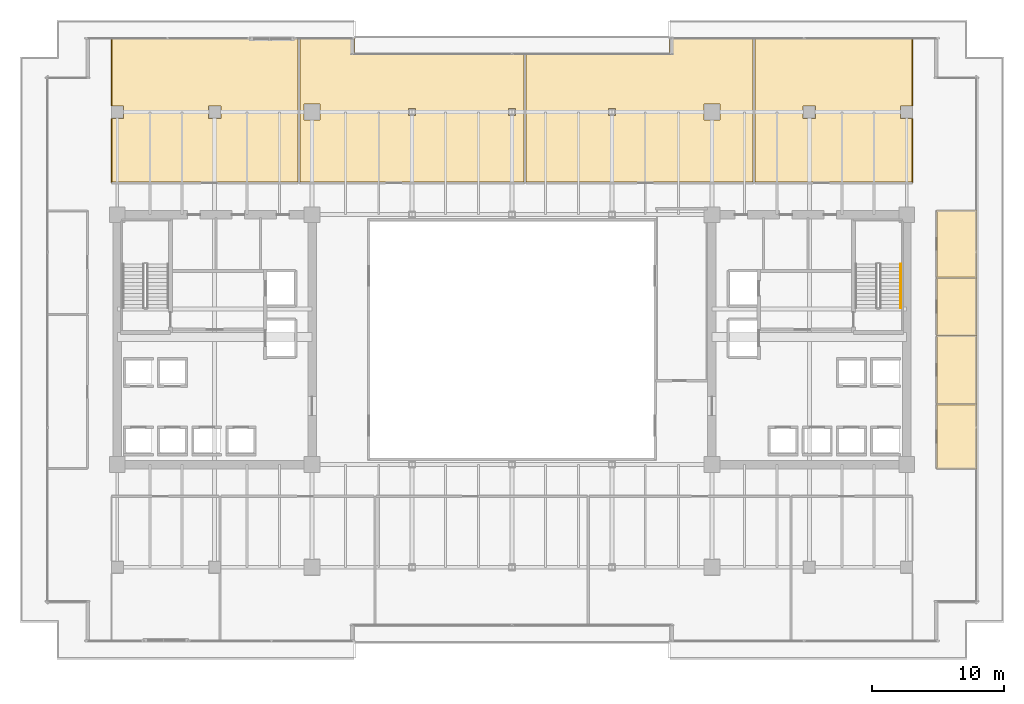
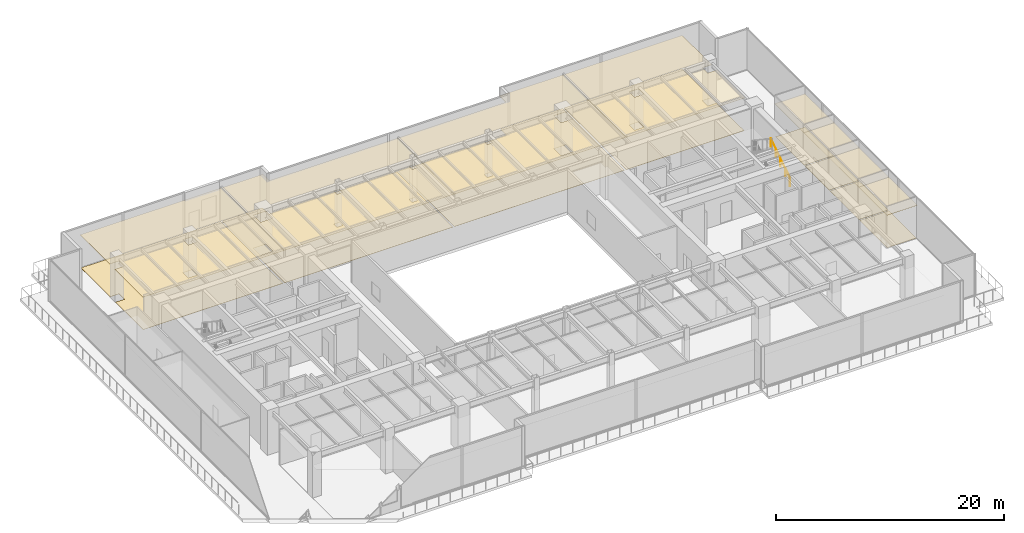
# One storey, part 33 of 33: 16 coverings, 1 railing.
"""IFC4 building model written with IfcOpenShell, lengths in metres."""

from ifc_helpers import new_model, si_unit, direction, frame, origin, origin_2d, place, context, subcontext, project, spatial, polyline, circle, outline, extrude, source, transform, mapped, material, layer, layer_set, type_object, type_shapes, element, save


model = new_model("IFC4")

# Units and contexts
model_context = context("Model", 3, precision=1e-05, world=origin(), true_north=direction((0.0, 1.0)))
body_context = subcontext(model_context, "Body", "Model", "MODEL_VIEW")
ifc_project = project(units=[si_unit("LENGTHUNIT", "METRE"), si_unit("AREAUNIT", "SQUARE_METRE"), si_unit("VOLUMEUNIT", "CUBIC_METRE"), si_unit("PLANEANGLEUNIT", "RADIAN"), si_unit("MASSUNIT", "GRAM", prefix="KILO")], contexts=[model_context])

# Site, building, storey
site_placement = place(None, origin())
site = spatial("IfcSite", under=ifc_project, at=site_placement, CompositionType="ELEMENT")
building_placement = place(site_placement, origin())
building = spatial("IfcBuilding", under=site, at=building_placement, Name="Haelvirn Gate Laboratories", CompositionType="ELEMENT")
storey_placement = place(building_placement, frame((0.0, 0.0, 100.300048828125)))
storey = spatial("IfcBuildingStorey", under=building, at=storey_placement, Name="L24", CompositionType="ELEMENT", Elevation=100.300048828125)

# Coverings
ifc_material_1 = material(Name="Micro-perforated acoustic mineral-fibre laboratory ceiling")
ifc_layer_1 = layer(ifc_material_1, 0.0400390625, Name="COV-CEIL-ACT")
ifc_layer_set_1 = layer_set([ifc_layer_1], Name="Micro-perforated acoustic mineral-fibre laboratory ceiling")
covering_type_1 = type_object("IfcCoveringType", Name="COV-CEIL-ACT", PredefinedType="CEILING", material=ifc_layer_set_1)
covering_1_placement = place(storey_placement, frame((0.0, 0.0, 3.52001953125)))
element("IfcCovering", 1, at=covering_1_placement, inside=storey, type_object=covering_type_1, Name="L24 Laboratory Acoustic Ceiling CEIL-SP-L24-N-01", PredefinedType="CEILING", context=body_context, shape_type="SweptSolid", body=[
    extrude(outline(polyline([(6.919921875, 41.18994140625), (6.929931640625, 41.18994140625), (6.929931640625, 41.1298828125), (7.8701171875, 41.1298828125), (7.8701171875, 42.070068359375), (6.929931640625, 42.070068359375), (6.929931640625, 42.010009765625), (6.919921875, 42.010009765625), (6.919921875, 47.25), (21.179931640625, 47.25), (21.179931640625, 36.219970703125), (6.919921875, 36.219970703125), (6.919921875, 41.18994140625)]), holes=[polyline([(14.330078125, 42.070068359375), (14.330078125, 41.1298828125), (15.27001953125, 41.1298828125), (15.27001953125, 42.070068359375), (14.330078125, 42.070068359375)])]), origin(), (0.0, 0.0, 1.0), 0.0400390625),
])
covering_2_placement = place(storey_placement, frame((0.0, 0.0, 3.52001953125)))
element("IfcCovering", 2, at=covering_2_placement, inside=storey, type_object=covering_type_1, Name="L24 Laboratory Acoustic Ceiling CEIL-SP-L24-N-02", PredefinedType="CEILING", context=body_context, shape_type="SweptSolid", body=[
    extrude(outline(polyline([(21.219970703125, 36.219970703125), (21.219970703125, 47.25), (25.419921875, 47.25), (25.419921875, 46.1201171875), (38.3798828125, 46.1201171875), (38.3798828125, 36.219970703125), (21.219970703125, 36.219970703125)]), holes=[polyline([(21.580078125, 40.97998046875), (22.820068359375, 40.97998046875), (22.820068359375, 42.219970703125), (21.580078125, 42.219970703125), (21.580078125, 40.97998046875)]), polyline([(29.530029296875, 41.8701171875), (29.530029296875, 41.330078125), (30.070068359375, 41.330078125), (30.070068359375, 41.8701171875), (29.530029296875, 41.8701171875)]), polyline([(37.669921875, 41.8701171875), (37.1298828125, 41.8701171875), (37.1298828125, 41.330078125), (37.669921875, 41.330078125), (37.669921875, 41.8701171875)])]), origin(), (0.0, 0.0, 1.0), 0.0400390625),
])
covering_3_placement = place(storey_placement, frame((0.0, 0.0, 3.52001953125)))
element("IfcCovering", 3, at=covering_3_placement, inside=storey, type_object=covering_type_1, Name="L24 Laboratory Acoustic Ceiling CEIL-SP-L24-N-03", PredefinedType="CEILING", context=body_context, shape_type="SweptSolid", body=[
    extrude(outline(polyline([(49.3798828125, 47.25), (55.780029296875, 47.25), (55.780029296875, 36.219970703125), (38.419921875, 36.219970703125), (38.419921875, 46.1201171875), (49.3798828125, 46.1201171875), (49.3798828125, 47.25)]), holes=[polyline([(51.97998046875, 42.219970703125), (51.97998046875, 40.97998046875), (53.219970703125, 40.97998046875), (53.219970703125, 42.219970703125), (51.97998046875, 42.219970703125)]), polyline([(45.27001953125, 41.8701171875), (44.72998046875, 41.8701171875), (44.72998046875, 41.330078125), (45.27001953125, 41.330078125), (45.27001953125, 41.8701171875)])]), origin(), (0.0, 0.0, 1.0), 0.0400390625),
])
covering_4_placement = place(storey_placement, frame((0.0, 0.0, 3.52001953125)))
element("IfcCovering", 4, at=covering_4_placement, inside=storey, type_object=covering_type_1, Name="L24 Laboratory Acoustic Ceiling CEIL-SP-L24-N-04", PredefinedType="CEILING", context=body_context, shape_type="SweptSolid", body=[
    extrude(outline(polyline([(67.8798828125, 41.18994140625), (67.8798828125, 36.219970703125), (55.820068359375, 36.219970703125), (55.820068359375, 47.25), (67.8798828125, 47.25), (67.8798828125, 42.010009765625), (67.8701171875, 42.010009765625), (67.8701171875, 42.070068359375), (66.929931640625, 42.070068359375), (66.929931640625, 41.1298828125), (67.8701171875, 41.1298828125), (67.8701171875, 41.18994140625), (67.8798828125, 41.18994140625)]), holes=[polyline([(59.530029296875, 42.070068359375), (59.530029296875, 41.1298828125), (60.469970703125, 41.1298828125), (60.469970703125, 42.070068359375), (59.530029296875, 42.070068359375)])]), origin(), (0.0, 0.0, 1.0), 0.0400390625),
])
covering_5_placement = place(storey_placement, frame((0.0, 0.0, 3.52001953125)))
element("IfcCovering", 5, at=covering_5_placement, inside=storey, type_object=covering_type_1, Name="L24 Laboratory Acoustic Ceiling CEIL-SP-L24-ECELL-01", PredefinedType="CEILING", context=body_context, shape_type="SweptSolid", body=[
    extrude(outline(polyline([(69.679931640625, 19.39990234375), (72.75, 19.39990234375), (72.75, 14.455078125), (69.679931640625, 14.455078125), (69.679931640625, 19.39990234375)])), origin(), (0.0, 0.0, 1.0), 0.0400390625),
])
covering_6_placement = place(storey_placement, frame((0.0, 0.0, 3.52001953125)))
element("IfcCovering", 6, at=covering_6_placement, inside=storey, type_object=covering_type_1, Name="L24 Laboratory Acoustic Ceiling CEIL-SP-L24-ECELL-02", PredefinedType="CEILING", context=body_context, shape_type="SweptSolid", body=[
    extrude(outline(polyline([(69.679931640625, 24.60009765625), (72.75, 24.60009765625), (72.75, 19.39990234375), (69.679931640625, 19.39990234375), (69.679931640625, 24.60009765625)])), origin(), (0.0, 0.0, 1.0), 0.0400390625),
])
covering_7_placement = place(storey_placement, frame((0.0, 0.0, 3.52001953125)))
element("IfcCovering", 7, at=covering_7_placement, inside=storey, type_object=covering_type_1, Name="L24 Laboratory Acoustic Ceiling CEIL-SP-L24-ECELL-03", PredefinedType="CEILING", context=body_context, shape_type="SweptSolid", body=[
    extrude(outline(polyline([(69.679931640625, 29.0), (72.75, 29.0), (72.75, 24.60009765625), (69.679931640625, 24.60009765625), (69.679931640625, 29.0)])), origin(), (0.0, 0.0, 1.0), 0.0400390625),
])
covering_8_placement = place(storey_placement, frame((0.0, 0.0, 3.52001953125)))
element("IfcCovering", 8, at=covering_8_placement, inside=storey, type_object=covering_type_1, Name="L24 Laboratory Acoustic Ceiling CEIL-SP-L24-ECELL-04", PredefinedType="CEILING", context=body_context, shape_type="SweptSolid", body=[
    extrude(outline(polyline([(69.679931640625, 34.14501953125), (72.75, 34.14501953125), (72.75, 29.0), (69.679931640625, 29.0), (69.679931640625, 34.14501953125)])), origin(), (0.0, 0.0, 1.0), 0.0400390625),
])
ifc_material_2 = material(Name="Honed granite concourse terrazzo flooring", Category="masonry")
ifc_layer_2 = layer(ifc_material_2, 0.02490234375, Name="COV-FLR-TERRA")
ifc_layer_set_2 = layer_set([ifc_layer_2], Name="Honed granite concourse terrazzo flooring")
covering_type_2 = type_object("IfcCoveringType", Name="COV-FLR-TERRA", PredefinedType="FLOORING", material=ifc_layer_set_2)
covering_9_placement = place(storey_placement, origin())
element("IfcCovering", 9, at=covering_9_placement, inside=storey, type_object=covering_type_2, Name="L24 Seamless Laboratory Flooring FLR-SP-L24-N-01", PredefinedType="FLOORING", context=body_context, shape_type="SweptSolid", body=[
    extrude(outline(polyline([(21.1201171875, 36.280029296875), (6.97998046875, 36.280029296875), (6.97998046875, 41.1298828125), (7.8701171875, 41.1298828125), (7.8701171875, 42.070068359375), (6.97998046875, 42.070068359375), (6.97998046875, 47.18994140625), (21.1201171875, 47.18994140625), (21.1201171875, 36.280029296875)]), holes=[polyline([(14.330078125, 41.1298828125), (15.27001953125, 41.1298828125), (15.27001953125, 42.070068359375), (14.330078125, 42.070068359375), (14.330078125, 41.1298828125)])]), origin(), (0.0, 0.0, 1.0), 0.02490234375),
])
covering_10_placement = place(storey_placement, origin())
element("IfcCovering", 10, at=covering_10_placement, inside=storey, type_object=covering_type_2, Name="L24 Seamless Laboratory Flooring FLR-SP-L24-N-02", PredefinedType="FLOORING", context=body_context, shape_type="SweptSolid", body=[
    extrude(outline(polyline([(25.360107421875, 46.10009765625), (25.360107421875, 46.09619140625), (25.36083984375, 46.09228515625), (25.36181640625, 46.08837890625), (25.363037109375, 46.084716796875), (25.36474609375, 46.0810546875), (25.36669921875, 46.077880859375), (25.369140625, 46.07470703125), (25.37158203125, 46.07177734375), (25.37451171875, 46.069091796875), (25.377685546875, 46.066650390625), (25.381103515625, 46.064697265625), (25.384765625, 46.06298828125), (25.388427734375, 46.061767578125), (25.39208984375, 46.060791015625), (25.39599609375, 46.060302734375), (25.39990234375, 46.06005859375), (38.320068359375, 46.06005859375), (38.320068359375, 36.280029296875), (21.280029296875, 36.280029296875), (21.280029296875, 47.18994140625), (25.360107421875, 47.18994140625), (25.360107421875, 46.10009765625)]), holes=[polyline([(22.820068359375, 40.97998046875), (22.820068359375, 42.219970703125), (21.580078125, 42.219970703125), (21.580078125, 40.97998046875), (22.820068359375, 40.97998046875)]), polyline([(29.530029296875, 41.330078125), (30.070068359375, 41.330078125), (30.070068359375, 41.8701171875), (29.530029296875, 41.8701171875), (29.530029296875, 41.330078125)]), polyline([(37.1298828125, 41.8701171875), (37.1298828125, 41.330078125), (37.669921875, 41.330078125), (37.669921875, 41.8701171875), (37.1298828125, 41.8701171875)])]), origin(), (0.0, 0.0, 1.0), 0.02490234375),
])
covering_11_placement = place(storey_placement, origin())
element("IfcCovering", 11, at=covering_11_placement, inside=storey, type_object=covering_type_2, Name="L24 Seamless Laboratory Flooring FLR-SP-L24-N-03", PredefinedType="FLOORING", context=body_context, shape_type="SweptSolid", body=[
    extrude(outline(polyline([(38.47998046875, 46.06005859375), (49.39990234375, 46.06005859375), (49.40380859375, 46.060302734375), (49.40771484375, 46.060791015625), (49.41162109375, 46.061767578125), (49.415283203125, 46.06298828125), (49.4189453125, 46.064697265625), (49.422119140625, 46.066650390625), (49.42529296875, 46.069091796875), (49.42822265625, 46.07177734375), (49.430908203125, 46.07470703125), (49.433349609375, 46.077880859375), (49.435302734375, 46.0810546875), (49.43701171875, 46.084716796875), (49.438232421875, 46.08837890625), (49.439208984375, 46.09228515625), (49.439697265625, 46.09619140625), (49.43994140625, 46.10009765625), (49.43994140625, 47.18994140625), (55.719970703125, 47.18994140625), (55.719970703125, 36.280029296875), (38.47998046875, 36.280029296875), (38.47998046875, 46.06005859375)]), holes=[polyline([(51.97998046875, 40.97998046875), (53.219970703125, 40.97998046875), (53.219970703125, 42.219970703125), (51.97998046875, 42.219970703125), (51.97998046875, 40.97998046875)]), polyline([(44.72998046875, 41.8701171875), (44.72998046875, 41.330078125), (45.27001953125, 41.330078125), (45.27001953125, 41.8701171875), (44.72998046875, 41.8701171875)])]), origin(), (0.0, 0.0, 1.0), 0.02490234375),
])
covering_12_placement = place(storey_placement, origin())
element("IfcCovering", 12, at=covering_12_placement, inside=storey, type_object=covering_type_2, Name="L24 Seamless Laboratory Flooring FLR-SP-L24-N-04", PredefinedType="FLOORING", context=body_context, shape_type="SweptSolid", body=[
    extrude(outline(polyline([(67.820068359375, 42.070068359375), (66.929931640625, 42.070068359375), (66.929931640625, 41.1298828125), (67.820068359375, 41.1298828125), (67.820068359375, 36.280029296875), (55.8798828125, 36.280029296875), (55.8798828125, 47.18994140625), (67.820068359375, 47.18994140625), (67.820068359375, 42.070068359375)]), holes=[polyline([(59.530029296875, 41.1298828125), (60.469970703125, 41.1298828125), (60.469970703125, 42.070068359375), (59.530029296875, 42.070068359375), (59.530029296875, 41.1298828125)])]), origin(), (0.0, 0.0, 1.0), 0.02490234375),
])
covering_13_placement = place(storey_placement, origin())
element("IfcCovering", 13, at=covering_13_placement, inside=storey, type_object=covering_type_2, Name="L24 Seamless Laboratory Flooring FLR-SP-L24-ECELL-01", PredefinedType="FLOORING", context=body_context, shape_type="SweptSolid", body=[
    extrude(outline(polyline([(69.739990234375, 19.340087890625), (72.68994140625, 19.340087890625), (72.68994140625, 14.514892578125), (69.739990234375, 14.514892578125), (69.739990234375, 19.340087890625)])), origin(), (0.0, 0.0, 1.0), 0.02490234375),
])
covering_14_placement = place(storey_placement, origin())
element("IfcCovering", 14, at=covering_14_placement, inside=storey, type_object=covering_type_2, Name="L24 Seamless Laboratory Flooring FLR-SP-L24-ECELL-02", PredefinedType="FLOORING", context=body_context, shape_type="SweptSolid", body=[
    extrude(outline(polyline([(69.739990234375, 24.5400390625), (72.68994140625, 24.5400390625), (72.68994140625, 19.4599609375), (69.739990234375, 19.4599609375), (69.739990234375, 24.5400390625)])), origin(), (0.0, 0.0, 1.0), 0.02490234375),
])
covering_15_placement = place(storey_placement, origin())
element("IfcCovering", 15, at=covering_15_placement, inside=storey, type_object=covering_type_2, Name="L24 Seamless Laboratory Flooring FLR-SP-L24-ECELL-03", PredefinedType="FLOORING", context=body_context, shape_type="SweptSolid", body=[
    extrude(outline(polyline([(69.739990234375, 28.93994140625), (72.68994140625, 28.93994140625), (72.68994140625, 24.659912109375), (69.739990234375, 24.659912109375), (69.739990234375, 28.93994140625)])), origin(), (0.0, 0.0, 1.0), 0.02490234375),
])
covering_16_placement = place(storey_placement, origin())
element("IfcCovering", 16, at=covering_16_placement, inside=storey, type_object=covering_type_2, Name="L24 Seamless Laboratory Flooring FLR-SP-L24-ECELL-04", PredefinedType="FLOORING", context=body_context, shape_type="SweptSolid", body=[
    extrude(outline(polyline([(69.739990234375, 34.0849609375), (72.68994140625, 34.0849609375), (72.68994140625, 29.06005859375), (69.739990234375, 29.06005859375), (69.739990234375, 34.0849609375)])), origin(), (0.0, 0.0, 1.0), 0.02490234375),
])

# Railing
ifc_material_3 = material(Name="Brushed stainless steel 316L", Category="steel")
railing_type = type_object("IfcRailingType", Name="RL-HAND-920", PredefinedType="HANDRAIL", material=ifc_material_3)
shared_shape = source(origin(), body_context, "Body", "SweptSolid", [
    extrude(circle(Radius=0.02392578125, at=origin_2d()), frame((0.0, 0.0, 0.8759765625), z_axis=(0.0, 0.834876476806, 0.550437342915), x_axis=(-1.0, 0.0, 0.0)), (0.0, 0.0, 1.0), 4.024658203125),
    extrude(circle(Radius=0.02099609375, at=origin_2d()), origin(), (0.0, 0.0, 1.0), 0.851806640625),
    extrude(circle(Radius=0.02099609375, at=origin_2d()), frame((0.0, 0.840087890625, 0.5537109375)), (0.0, 0.0, 1.0), 0.851806640625),
    extrude(circle(Radius=0.02099609375, at=origin_2d()), frame((0.0, 1.68017578125, 1.107666015625)), (0.0, 0.0, 1.0), 0.851806640625),
    extrude(circle(Radius=0.02099609375, at=origin_2d()), frame((0.0, 2.52001953125, 1.66162109375)), (0.0, 0.0, 1.0), 0.851806640625),
    extrude(circle(Radius=0.02099609375, at=origin_2d()), frame((0.0, 3.360107421875, 2.21533203125)), (0.0, 0.0, 1.0), 0.851806640625),
])
type_shapes(railing_type, [shared_shape])
railing_placement = place(storey_placement, frame((66.949951171875, 26.699951171875, 0.1845703125)))
element("IfcRailing", 17, at=railing_placement, inside=storey, type_object=railing_type, Name="L24 ST2 stair handrail 1", PredefinedType="HANDRAIL", context=body_context, shape_type="MappedRepresentation", body=[
    mapped(shared_shape, transform((0.0, 0.0, 0.0), scale=1.0)),
])

save(model, "model.ifc")
